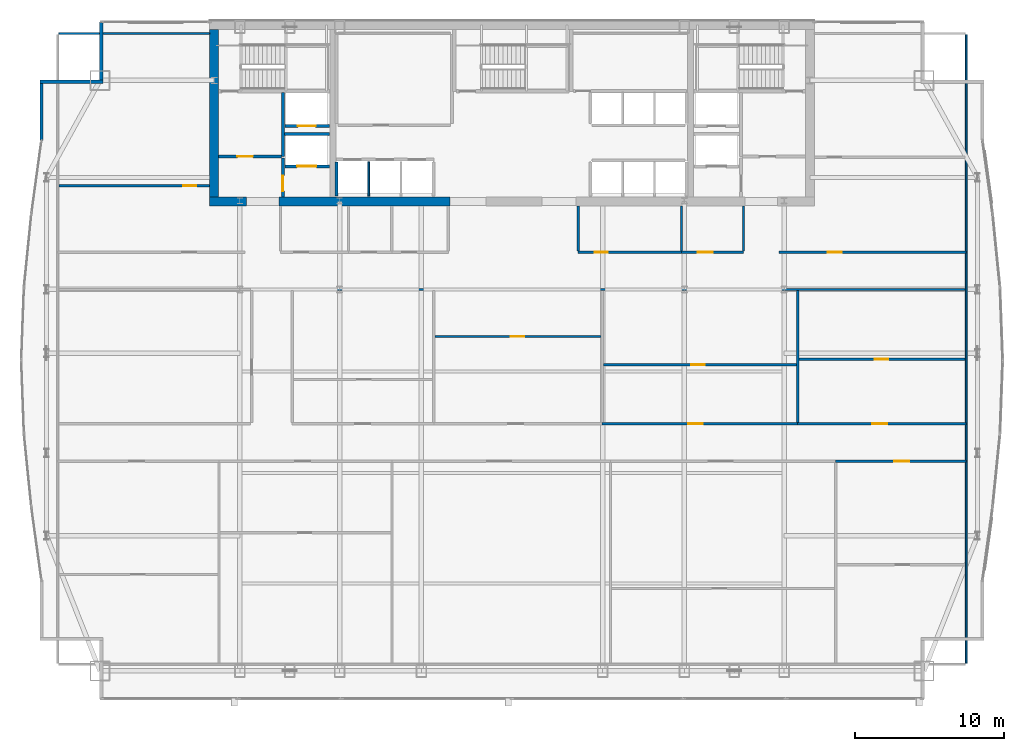
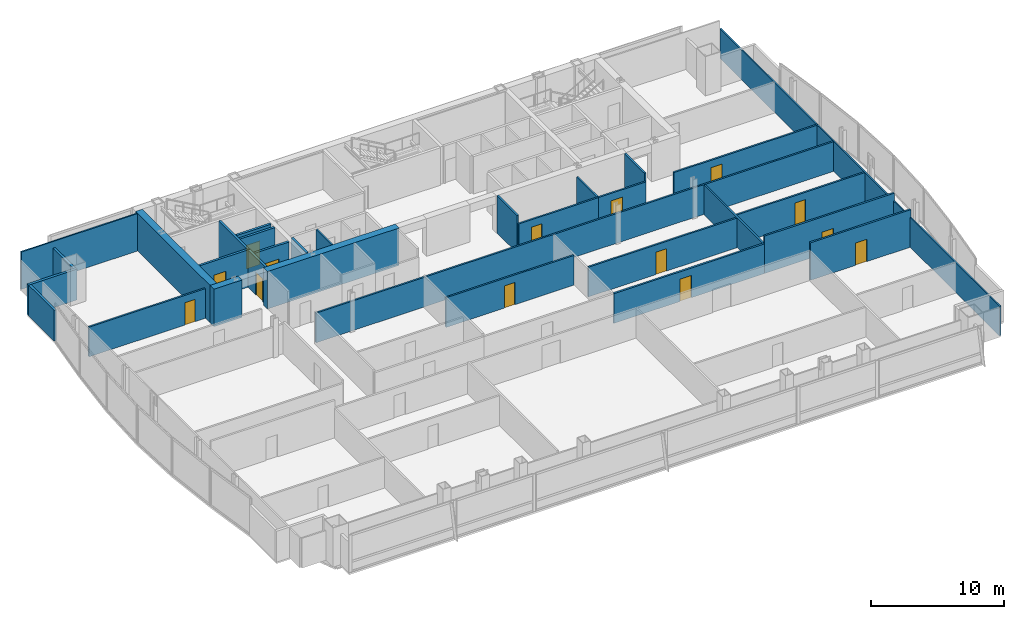
# One storey, part 25 of 29: 31 walls, 14 doors, 14 openings.
"""IFC4 building model written with IfcOpenShell, lengths in metres."""

from ifc_helpers import new_model, si_unit, direction, frame, frame_2d, origin, place, context, subcontext, project, spatial, rectangle, extrude, material, layer, layer_set, type_object, element, fill, save


model = new_model("IFC4")

# Units and contexts
model_context = context("Model", 3, precision=1e-05, world=origin(), true_north=direction((0.0, 1.0)))
body_context = subcontext(model_context, "Body", "Model", "MODEL_VIEW")
ifc_project = project(units=[si_unit("LENGTHUNIT", "METRE"), si_unit("AREAUNIT", "SQUARE_METRE"), si_unit("VOLUMEUNIT", "CUBIC_METRE"), si_unit("PLANEANGLEUNIT", "RADIAN"), si_unit("MASSUNIT", "GRAM", prefix="KILO")], contexts=[model_context])

# Site, building, storey
site_placement = place(None, origin())
site = spatial("IfcSite", under=ifc_project, at=site_placement, CompositionType="ELEMENT")
building_placement = place(site_placement, origin())
building = spatial("IfcBuilding", under=site, at=building_placement, Name="Khoronbel Lancet Exchange", CompositionType="ELEMENT")
storey_placement = place(building_placement, frame((0.0, 0.0, 177.0)))
storey = spatial("IfcBuildingStorey", under=building, at=storey_placement, Name="L44", CompositionType="ELEMENT", Elevation=177.0)

# Walls
ifc_material_1 = material(Name="Concrete C60/75", Category="concrete")
ifc_layer_1 = layer(ifc_material_1, 0.60009765625, Name="Concrete C60/75")
ifc_layer_set_1 = layer_set([ifc_layer_1], Name="Concrete C60/75")
wall_type_1 = type_object("IfcWallType", Name="WL-CW3", PredefinedType="SHEAR", material=ifc_layer_set_1)
wall_1_placement = place(storey_placement, frame((16.5, 41.89990234375, 0.0), z_axis=(0.0, 0.0, 1.0), x_axis=(0.0, 1.0, 0.0)))
element("IfcWall", 1, at=wall_1_placement, inside=storey, type_object=wall_type_1, Name="Level L44 rear core west shear wall", PredefinedType="SHEAR", context=body_context, shape_type="SweptSolid", body=[
    extrude(rectangle(XDim=11.2001953125, YDim=0.60009765625, at=frame_2d((5.60009765625, 0.0))), origin(), (0.0, 0.0, 1.0), 3.43994140625),
])
wall_2_placement = place(storey_placement, frame((18.64990234375, 41.60009765625, 0.0), z_axis=(0.0, 0.0, 1.0), x_axis=(-1.0, 0.0, 0.0)))
element("IfcWall", 2, at=wall_2_placement, inside=storey, type_object=wall_type_1, Name="Level L44 rear core south shear wall pier P1", PredefinedType="SHEAR", context=body_context, shape_type="SweptSolid", body=[
    extrude(rectangle(XDim=2.449951171875, YDim=0.60009765625, at=frame_2d((1.22509765625, 0.0))), origin(), (0.0, 0.0, 1.0), 3.43994140625),
])
wall_3_placement = place(storey_placement, frame((32.300048828125, 41.60009765625, 0.0), z_axis=(0.0, 0.0, 1.0), x_axis=(-1.0, 0.0, 0.0)))
element("IfcWall", 3, at=wall_3_placement, inside=storey, type_object=wall_type_1, Name="Level L44 rear core south shear wall pier P2", PredefinedType="SHEAR", context=body_context, shape_type="SweptSolid", body=[
    extrude(rectangle(XDim=11.449951171875, YDim=0.60009765625, at=frame_2d((5.72509765625, 0.0))), origin(), (0.0, 0.0, 1.0), 3.43994140625),
])
ifc_material_2 = material(Name="Precast concrete C40/50", Category="concrete")
ifc_layer_2 = layer(ifc_material_2, 0.25, Name="Precast concrete C40/50")
ifc_layer_set_2 = layer_set([ifc_layer_2], Name="Precast concrete C40/50")
wall_type_2 = type_object("IfcWallType", Name="WL-EXT250", PredefinedType="SOLIDWALL", material=ifc_layer_set_2)
wall_4_placement = place(storey_placement, frame((4.93994140625, 45.673828125, 0.0), z_axis=(0.0, 0.0, 1.0), x_axis=(0.0, 1.0, 0.0)))
element("IfcWall", 4, at=wall_4_placement, inside=storey, type_object=wall_type_2, Name="Level L44 notched-corner limestone pier 10", PredefinedType="SOLIDWALL", context=body_context, shape_type="SweptSolid", body=[
    extrude(rectangle(XDim=3.826171875, YDim=0.219970703125, at=frame_2d((1.9130859375, 0.0))), origin(), (0.0, 0.0, 1.0), 2.830078125),
])
wall_5_placement = place(storey_placement, frame((4.830078125, 49.610107421875, 0.0), z_axis=(0.0, 0.0, 1.0), x_axis=(1.0, 0.0, 0.0)))
element("IfcWall", 5, at=wall_5_placement, inside=storey, type_object=wall_type_2, Name="Level L44 notched-corner limestone pier 11", PredefinedType="SOLIDWALL", context=body_context, shape_type="SweptSolid", body=[
    extrude(rectangle(XDim=4.219970703125, YDim=0.219970703125, at=frame_2d((2.10986328125, 0.0))), origin(), (0.0, 0.0, 1.0), 2.830078125),
])
wall_6_placement = place(storey_placement, frame((8.93994140625, 49.719970703125, 0.0), z_axis=(0.0, 0.0, 1.0), x_axis=(0.0, 1.0, 0.0)))
element("IfcWall", 6, at=wall_6_placement, inside=storey, type_object=wall_type_2, Name="Level L44 notched-corner limestone pier 12", PredefinedType="SOLIDWALL", context=body_context, shape_type="SweptSolid", body=[
    extrude(rectangle(XDim=3.909912109375, YDim=0.219970703125, at=frame_2d((1.955078125, 0.0))), origin(), (0.0, 0.0, 1.0), 2.830078125),
])
ifc_material_3 = material(Name="Acoustic Metal-Stud & Mineral-Wool Gypsum Partition 120 mm", Category="gypsum")
ifc_layer_3 = layer(ifc_material_3, 0.1201171875, Name="Acoustic Metal-Stud & Mineral-Wool Gypsum Partition 120 mm")
ifc_layer_set_3 = layer_set([ifc_layer_3], Name="Acoustic Metal-Stud & Mineral-Wool Gypsum Partition 120 mm")
wall_type_3 = type_object("IfcWallType", Name="WL-PRT120", PredefinedType="PARTITIONING", material=ifc_layer_set_3)
wall_7_placement = place(storey_placement, frame((40.8798828125, 38.280029296875, 0.0), z_axis=(0.0, 0.0, 1.0), x_axis=(0.0, 1.0, 0.0)))
element("IfcWall", 7, at=wall_7_placement, inside=storey, type_object=wall_type_3, Name="Level L44 interior partition PW-NP-0", PredefinedType="PARTITIONING", context=body_context, shape_type="SweptSolid", body=[
    extrude(rectangle(XDim=3.02001953125, YDim=0.14990234375, at=frame_2d((1.510009765625, 0.0))), origin(), (0.0, 0.0, 1.0), 3.43994140625),
])
wall_8_placement = place(storey_placement, frame((47.800048828125, 38.280029296875, 0.0), z_axis=(0.0, 0.0, 1.0), x_axis=(0.0, 1.0, 0.0)))
element("IfcWall", 8, at=wall_8_placement, inside=storey, type_object=wall_type_3, Name="Level L44 interior partition PW-NP-M", PredefinedType="PARTITIONING", context=body_context, shape_type="SweptSolid", body=[
    extrude(rectangle(XDim=3.02001953125, YDim=0.14990234375, at=frame_2d((1.510009765625, 0.0))), origin(), (0.0, 0.0, 1.0), 2.72998046875),
])
wall_9_placement = place(storey_placement, frame((51.949951171875, 38.280029296875, 0.0), z_axis=(0.0, 0.0, 1.0), x_axis=(0.0, 1.0, 0.0)))
element("IfcWall", 9, at=wall_9_placement, inside=storey, type_object=wall_type_3, Name="Level L44 interior partition PW-NP-1", PredefinedType="PARTITIONING", context=body_context, shape_type="SweptSolid", body=[
    extrude(rectangle(XDim=3.02001953125, YDim=0.14990234375, at=frame_2d((1.510009765625, 0.0))), origin(), (0.0, 0.0, 1.0), 3.43994140625),
])

# Wall, opening, door
wall_10_placement = place(storey_placement, frame((6.094970703125, 42.64990234375, 0.0), z_axis=(0.0, 0.0, 1.0), x_axis=(1.0, 0.0, 0.0)))
wall_10 = element("IfcWall", 10, at=wall_10_placement, inside=storey, type_object=wall_type_3, Name="Level L44 interior partition PW-NW-H", PredefinedType="PARTITIONING", context=body_context, shape_type="SweptSolid", body=[
    extrude(rectangle(XDim=10.10498046875, YDim=0.14990234375, at=frame_2d((5.052490234375, 0.0))), origin(), (0.0, 0.0, 1.0), 2.72998046875),
])
opening_1_placement = place(wall_10_placement, frame((8.320068359375, 0.0, 0.0)))
opening_1 = element("IfcOpeningElement", 11, at=opening_1_placement, cuts=wall_10, Name="Opening D5", PredefinedType="OPENING", context=body_context, shape_type="SweptSolid", body=[
    extrude(rectangle(XDim=0.89990234375, YDim=2.050048828125, at=frame_2d((0.449951171875, 1.02490234375))), frame((0.0, 0.0849609375, 0.0), z_axis=(0.0, -1.0, 0.0), x_axis=(1.0, 0.0, 0.0)), (0.0, 0.0, 1.0), 0.169921875),
])
ifc_material_4 = material(Name="Acoustic Timber Pantry & Support Door", Category="wood")
door_type_1 = type_object("IfcDoorType", Name="DR-D5", OperationType="NOTDEFINED", PredefinedType="DOOR", material=ifc_material_4)
door_1_placement = place(opening_1_placement, origin())
door_1 = element("IfcDoor", 12, at=door_1_placement, inside=storey, type_object=door_type_1, Name="NW north room door L44-1", OperationType="SINGLE_SWING_RIGHT", OverallHeight=2.050048828125, OverallWidth=0.89990234375, PredefinedType="DOOR", context=body_context, shape_type="SweptSolid", body=[
    extrude(rectangle(XDim=0.89990234375, YDim=2.050048828125, at=frame_2d((0.449951171875, 1.02490234375))), frame((0.0, 0.02490234375, 0.0), z_axis=(0.0, -1.0, 0.0), x_axis=(1.0, 0.0, 0.0)), (0.0, 0.0, 1.0), 0.050048828125),
])
fill(opening_1, door_1)

wall_11_placement = place(storey_placement, frame((31.289306640625, 32.550048828125, 0.0), z_axis=(0.0, 0.0, 1.0), x_axis=(1.0, 0.0, 0.0)))
wall_11 = element("IfcWall", 13, at=wall_11_placement, inside=storey, type_object=wall_type_3, Name="Level L44 interior partition PW-Z2N-H2", PredefinedType="PARTITIONING", context=body_context, shape_type="SweptSolid", body=[
    extrude(rectangle(XDim=11.125, YDim=0.14990234375, at=frame_2d((5.5625, 0.0))), origin(), (0.0, 0.0, 1.0), 2.72998046875),
])
opening_2_placement = place(wall_11_placement, frame((5.078369140625, 0.0, 0.0)))
opening_2 = element("IfcOpeningElement", 14, at=opening_2_placement, cuts=wall_11, Name="Opening D5", PredefinedType="OPENING", context=body_context, shape_type="SweptSolid", body=[
    extrude(rectangle(XDim=0.89990234375, YDim=2.050048828125, at=frame_2d((0.449951171875, 1.02490234375))), frame((0.0, 0.0849609375, 0.0), z_axis=(0.0, -1.0, 0.0), x_axis=(1.0, 0.0, 0.0)), (0.0, 0.0, 1.0), 0.169921875),
])
door_2_placement = place(opening_2_placement, origin())
door_2 = element("IfcDoor", 15, at=door_2_placement, inside=storey, type_object=door_type_1, Name="Z2N inner door 2 L44-1", OperationType="SINGLE_SWING_LEFT", OverallHeight=2.050048828125, OverallWidth=0.89990234375, PredefinedType="DOOR", context=body_context, shape_type="SweptSolid", body=[
    extrude(rectangle(XDim=0.89990234375, YDim=2.050048828125, at=frame_2d((0.449951171875, 1.02490234375))), frame((0.0, 0.02490234375, 0.0), z_axis=(0.0, -1.0, 0.0), x_axis=(1.0, 0.0, 0.0)), (0.0, 0.0, 1.0), 0.050048828125),
])
fill(opening_2, door_2)

wall_12_placement = place(storey_placement, frame((42.574462890625, 30.659912109375, 0.0), z_axis=(0.0, 0.0, 1.0), x_axis=(1.0, 0.0, 0.0)))
wall_12 = element("IfcWall", 16, at=wall_12_placement, inside=storey, type_object=wall_type_3, Name="Level L44 interior partition PW-Z2N-H3", PredefinedType="PARTITIONING", context=body_context, shape_type="SweptSolid", body=[
    extrude(rectangle(XDim=12.930419921875, YDim=0.14990234375, at=frame_2d((6.46533203125, 0.0))), origin(), (0.0, 0.0, 1.0), 2.72998046875),
])
opening_3_placement = place(wall_12_placement, frame((5.890869140625, 0.0, 0.0)))
opening_3 = element("IfcOpeningElement", 17, at=opening_3_placement, cuts=wall_12, Name="Opening D5", PredefinedType="OPENING", context=body_context, shape_type="SweptSolid", body=[
    extrude(rectangle(XDim=0.89990234375, YDim=2.050048828125, at=frame_2d((0.449951171875, 1.02490234375))), frame((0.0, 0.0849609375, 0.0), z_axis=(0.0, -1.0, 0.0), x_axis=(1.0, 0.0, 0.0)), (0.0, 0.0, 1.0), 0.169921875),
])
door_3_placement = place(opening_3_placement, origin())
door_3 = element("IfcDoor", 18, at=door_3_placement, inside=storey, type_object=door_type_1, Name="Z2N inner door 3 L44-1", OperationType="SINGLE_SWING_LEFT", OverallHeight=2.050048828125, OverallWidth=0.89990234375, PredefinedType="DOOR", context=body_context, shape_type="SweptSolid", body=[
    extrude(rectangle(XDim=0.89990234375, YDim=2.050048828125, at=frame_2d((0.449951171875, 1.02490234375))), frame((0.0, 0.02490234375, 0.0), z_axis=(0.0, -1.0, 0.0), x_axis=(1.0, 0.0, 0.0)), (0.0, 0.0, 1.0), 0.050048828125),
])
fill(opening_3, door_3)

wall_13_placement = place(storey_placement, frame((55.6650390625, 31.02001953125, 0.0), z_axis=(0.0, 0.0, 1.0), x_axis=(1.0, 0.0, 0.0)))
wall_13 = element("IfcWall", 19, at=wall_13_placement, inside=storey, type_object=wall_type_3, Name="Level L44 interior partition PW-Z2N-H4", PredefinedType="PARTITIONING", context=body_context, shape_type="SweptSolid", body=[
    extrude(rectangle(XDim=11.139892578125, YDim=0.14990234375, at=frame_2d((5.56982421875, 0.0))), origin(), (0.0, 0.0, 1.0), 2.72998046875),
])
opening_4_placement = place(wall_13_placement, frame((5.078369140625, 0.0, 0.0)))
opening_4 = element("IfcOpeningElement", 20, at=opening_4_placement, cuts=wall_13, Name="Opening D5", PredefinedType="OPENING", context=body_context, shape_type="SweptSolid", body=[
    extrude(rectangle(XDim=0.89990234375, YDim=2.050048828125, at=frame_2d((0.449951171875, 1.02490234375))), frame((0.0, 0.0849609375, 0.0), z_axis=(0.0, -1.0, 0.0), x_axis=(1.0, 0.0, 0.0)), (0.0, 0.0, 1.0), 0.169921875),
])
door_4_placement = place(opening_4_placement, origin())
door_4 = element("IfcDoor", 21, at=door_4_placement, inside=storey, type_object=door_type_1, Name="Z2N inner door 4 L44-1", OperationType="SINGLE_SWING_LEFT", OverallHeight=2.050048828125, OverallWidth=0.89990234375, PredefinedType="DOOR", context=body_context, shape_type="SweptSolid", body=[
    extrude(rectangle(XDim=0.89990234375, YDim=2.050048828125, at=frame_2d((0.449951171875, 1.02490234375))), frame((0.0, 0.02490234375, 0.0), z_axis=(0.0, -1.0, 0.0), x_axis=(1.0, 0.0, 0.0)), (0.0, 0.0, 1.0), 0.050048828125),
])
fill(opening_4, door_4)

# Walls
wall_14_placement = place(storey_placement, frame((66.8701171875, 10.6650390625, 0.0), z_axis=(0.0, 0.0, 1.0), x_axis=(0.0, 1.0, 0.0)))
element("IfcWall", 22, at=wall_14_placement, inside=storey, type_object=wall_type_3, Name="Level L44 interior partition PW-LIN-E", PredefinedType="PARTITIONING", context=body_context, shape_type="SweptSolid", body=[
    extrude(rectangle(XDim=42.10986328125, YDim=0.1201171875, at=frame_2d((21.054931640625, 0.0))), origin(), (0.0, 0.0, 1.0), 2.72998046875),
])
wall_15_placement = place(storey_placement, frame((6.094970703125, 52.840087890625, 0.0), z_axis=(0.0, 0.0, 1.0), x_axis=(1.0, 0.0, 0.0)))
element("IfcWall", 23, at=wall_15_placement, inside=storey, type_object=wall_type_3, Name="Level L44 interior partition PW-LIN-NW", PredefinedType="PARTITIONING", context=body_context, shape_type="SweptSolid", body=[
    extrude(rectangle(XDim=10.10498046875, YDim=0.1201171875, at=frame_2d((5.052490234375, 0.0))), origin(), (0.0, 0.0, 1.0), 3.43994140625),
])
ifc_material_5 = material(Name="Fire-Rated Metal-Stud & Mineral-Wool Gypsum Partition 120 mm", Category="gypsum")
ifc_layer_4 = layer(ifc_material_5, 0.1201171875, Name="Fire-Rated Metal-Stud & Mineral-Wool Gypsum Partition 120 mm")
ifc_layer_set_4 = layer_set([ifc_layer_4], Name="Fire-Rated Metal-Stud & Mineral-Wool Gypsum Partition 120 mm")
wall_type_4 = type_object("IfcWallType", Name="WL-PRT120F", PredefinedType="PARTITIONING", material=ifc_layer_set_4)
wall_16_placement = place(storey_placement, frame((26.860107421875, 41.949951171875, 0.0), z_axis=(0.0, 0.0, 1.0), x_axis=(0.0, 1.0, 0.0)))
element("IfcWall", 24, at=wall_16_placement, inside=storey, type_object=wall_type_4, Name="Level L44 interior partition CW-PM-D1", PredefinedType="PARTITIONING", context=body_context, shape_type="SweptSolid", body=[
    extrude(rectangle(XDim=2.300048828125, YDim=0.1201171875, at=frame_2d((1.14990234375, 0.0))), origin(), (0.0, 0.0, 1.0), 3.43994140625),
])

# Wall, opening, door
ifc_material_6 = material(Name="Fire-Rated Twin-Stud Acoustic Gypsum Partition 150 mm", Category="gypsum")
ifc_layer_5 = layer(ifc_material_6, 0.14990234375, Name="Fire-Rated Twin-Stud Acoustic Gypsum Partition 150 mm")
ifc_layer_set_5 = layer_set([ifc_layer_5], Name="Fire-Rated Twin-Stud Acoustic Gypsum Partition 150 mm")
wall_type_5 = type_object("IfcWallType", Name="WL-PRT150C", PredefinedType="PARTITIONING", material=ifc_layer_set_5)
wall_17_placement = place(storey_placement, frame((40.8798828125, 38.199951171875, 0.0), z_axis=(0.0, 0.0, 1.0), x_axis=(1.0, 0.0, 0.0)))
wall_17 = element("IfcWall", 25, at=wall_17_placement, inside=storey, type_object=wall_type_5, Name="Level L44 interior partition PW-NP-S1", PredefinedType="PARTITIONING", context=body_context, shape_type="SweptSolid", body=[
    extrude(rectangle(XDim=6.920166015625, YDim=0.14990234375, at=frame_2d((3.4599609375, 0.0))), origin(), (0.0, 0.0, 1.0), 2.72998046875),
])
opening_5_placement = place(wall_17_placement, frame((1.10009765625, 0.0, 0.0)))
opening_5 = element("IfcOpeningElement", 26, at=opening_5_placement, cuts=wall_17, Name="Opening D5", PredefinedType="OPENING", context=body_context, shape_type="SweptSolid", body=[
    extrude(rectangle(XDim=0.89990234375, YDim=2.050048828125, at=frame_2d((0.449951171875, 1.02490234375))), frame((0.0, 0.0849609375, 0.0), z_axis=(0.0, -1.0, 0.0), x_axis=(1.0, 0.0, 0.0)), (0.0, 0.0, 1.0), 0.169921875),
])
door_5_placement = place(opening_5_placement, origin())
door_5 = element("IfcDoor", 27, at=door_5_placement, inside=storey, type_object=door_type_1, Name="Floor refreshment pantry door L44-1", OperationType="SINGLE_SWING_RIGHT", OverallHeight=2.050048828125, OverallWidth=0.89990234375, PredefinedType="DOOR", context=body_context, shape_type="SweptSolid", body=[
    extrude(rectangle(XDim=0.89990234375, YDim=2.050048828125, at=frame_2d((0.449951171875, 1.02490234375))), frame((0.0, 0.02490234375, 0.0), z_axis=(0.0, -1.0, 0.0), x_axis=(1.0, 0.0, 0.0)), (0.0, 0.0, 1.0), 0.050048828125),
])
fill(opening_5, door_5)

wall_18_placement = place(storey_placement, frame((47.800048828125, 38.199951171875, 0.0), z_axis=(0.0, 0.0, 1.0), x_axis=(1.0, 0.0, 0.0)))
wall_18 = element("IfcWall", 28, at=wall_18_placement, inside=storey, type_object=wall_type_5, Name="Level L44 interior partition PW-NP-S2", PredefinedType="PARTITIONING", context=body_context, shape_type="SweptSolid", body=[
    extrude(rectangle(XDim=4.14990234375, YDim=0.14990234375, at=frame_2d((2.074951171875, 0.0))), origin(), (0.0, 0.0, 1.0), 2.72998046875),
])
opening_6_placement = place(wall_18_placement, frame((1.10009765625, 0.0, 0.0)))
opening_6 = element("IfcOpeningElement", 29, at=opening_6_placement, cuts=wall_18, Name="Opening D2", PredefinedType="OPENING", context=body_context, shape_type="SweptSolid", body=[
    extrude(rectangle(XDim=1.0, YDim=2.050048828125, at=frame_2d((0.5, 1.02490234375))), frame((0.0, 0.0849609375, 0.0), z_axis=(0.0, -1.0, 0.0), x_axis=(1.0, 0.0, 0.0)), (0.0, 0.0, 1.0), 0.169921875),
])
ifc_material_7 = material(Name="Acoustic Veneered Timber & Bronze Frame Door", Category="wood")
door_type_2 = type_object("IfcDoorType", Name="DR-D2", OperationType="NOTDEFINED", PredefinedType="DOOR", material=ifc_material_7)
door_6_placement = place(opening_6_placement, origin())
door_6 = element("IfcDoor", 30, at=door_6_placement, inside=storey, type_object=door_type_2, Name="Floor store door L44-1", OperationType="SINGLE_SWING_LEFT", OverallHeight=2.050048828125, OverallWidth=1.0, PredefinedType="DOOR", context=body_context, shape_type="SweptSolid", body=[
    extrude(rectangle(XDim=1.0, YDim=2.050048828125, at=frame_2d((0.5, 1.02490234375))), frame((0.0, 0.02490234375, 0.0), z_axis=(0.0, -1.0, 0.0), x_axis=(1.0, 0.0, 0.0)), (0.0, 0.0, 1.0), 0.050048828125),
])
fill(opening_6, door_6)

wall_19_placement = place(storey_placement, frame((54.35009765625, 38.199951171875, 0.0), z_axis=(0.0, 0.0, 1.0), x_axis=(1.0, 0.0, 0.0)))
wall_19 = element("IfcWall", 31, at=wall_19_placement, inside=storey, type_object=wall_type_5, Name="Level L44 interior partition PW-NE-S", PredefinedType="PARTITIONING", context=body_context, shape_type="SweptSolid", body=[
    extrude(rectangle(XDim=12.52001953125, YDim=0.14990234375, at=frame_2d((6.260009765625, 0.0))), origin(), (0.0, 0.0, 1.0), 2.72998046875),
])
opening_7_placement = place(wall_19_placement, frame((3.25, 0.0, 0.0)))
opening_7 = element("IfcOpeningElement", 32, at=opening_7_placement, cuts=wall_19, Name="Opening D1", PredefinedType="OPENING", context=body_context, shape_type="SweptSolid", body=[
    extrude(rectangle(XDim=0.949951171875, YDim=2.050048828125, at=frame_2d((0.47509765625, 1.02490234375))), frame((0.0, 0.0849609375, 0.0), z_axis=(0.0, -1.0, 0.0), x_axis=(1.0, 0.0, 0.0)), (0.0, 0.0, 1.0), 0.169921875),
])
door_type_3 = type_object("IfcDoorType", Name="DR-D1", OperationType="NOTDEFINED", PredefinedType="DOOR", material=ifc_material_7)
door_7_placement = place(opening_7_placement, origin())
door_7 = element("IfcDoor", 33, at=door_7_placement, inside=storey, type_object=door_type_3, Name="NE corner room door L44-1", OperationType="SINGLE_SWING_LEFT", OverallHeight=2.050048828125, OverallWidth=0.949951171875, PredefinedType="DOOR", context=body_context, shape_type="SweptSolid", body=[
    extrude(rectangle(XDim=0.949951171875, YDim=2.050048828125, at=frame_2d((0.47509765625, 1.02490234375))), frame((0.0, 0.02490234375, 0.0), z_axis=(0.0, -1.0, 0.0), x_axis=(1.0, 0.0, 0.0)), (0.0, 0.0, 1.0), 0.050048828125),
])
fill(opening_7, door_7)

# Walls
wall_20_placement = place(storey_placement, frame((21.81005859375, 35.699951171875, 0.0), z_axis=(0.0, 0.0, 1.0), x_axis=(1.0, 0.0, 0.0)))
element("IfcWall", 34, at=wall_20_placement, inside=storey, type_object=wall_type_5, Name="Level L44 interior partition PW-Z2-EN", PredefinedType="PARTITIONING", context=body_context, shape_type="SweptSolid", body=[
    extrude(rectangle(XDim=44.994873046875, YDim=0.14990234375, at=frame_2d((22.49755859375, 0.0))), origin(), (0.0, 0.0, 1.0), 2.72998046875),
])
wall_21_placement = place(storey_placement, frame((55.5849609375, 26.784912109375, 0.0), z_axis=(0.0, 0.0, 1.0), x_axis=(0.0, 1.0, 0.0)))
element("IfcWall", 35, at=wall_21_placement, inside=storey, type_object=wall_type_5, Name="Level L44 interior partition PW-Z2N-V3", PredefinedType="PARTITIONING", context=body_context, shape_type="SweptSolid", body=[
    extrude(rectangle(XDim=8.835205078125, YDim=0.14990234375, at=frame_2d((4.41748046875, 0.0))), origin(), (0.0, 0.0, 1.0), 2.72998046875),
])

# Wall, opening, door
ifc_material_8 = material(Name="Fire-Rated Twin-Stud Acoustic Gypsum Partition 160 mm", Category="gypsum")
ifc_layer_6 = layer(ifc_material_8, 0.159912109375, Name="Fire-Rated Twin-Stud Acoustic Gypsum Partition 160 mm")
ifc_layer_set_6 = layer_set([ifc_layer_6], Name="Fire-Rated Twin-Stud Acoustic Gypsum Partition 160 mm")
wall_type_6 = type_object("IfcWallType", Name="WL-PRT160C", PredefinedType="PARTITIONING", material=ifc_layer_set_6)
wall_22_placement = place(storey_placement, frame((58.13134765625, 24.199951171875, 0.0), z_axis=(0.0, 0.0, 1.0), x_axis=(1.0, 0.0, 0.0)))
wall_22 = element("IfcWall", 36, at=wall_22_placement, inside=storey, type_object=wall_type_6, Name="Level L44 interior partition PW-Z2S-COR5", PredefinedType="PARTITIONING", context=body_context, shape_type="SweptSolid", body=[
    extrude(rectangle(XDim=8.73876953125, YDim=0.159912109375, at=frame_2d((4.369384765625, 0.0))), origin(), (0.0, 0.0, 1.0), 3.43994140625),
])
opening_8_placement = place(wall_22_placement, frame((3.920166015625, 0.0, 0.0)))
opening_8 = element("IfcOpeningElement", 37, at=opening_8_placement, cuts=wall_22, Name="Opening D2", PredefinedType="OPENING", context=body_context, shape_type="SweptSolid", body=[
    extrude(rectangle(XDim=1.0, YDim=2.050048828125, at=frame_2d((0.5, 1.02490234375))), frame((0.0, 0.08984375, 0.0), z_axis=(0.0, -1.0, 0.0), x_axis=(1.0, 0.0, 0.0)), (0.0, 0.0, 1.0), 0.179931640625),
])
door_8_placement = place(opening_8_placement, origin())
door_8 = element("IfcDoor", 38, at=door_8_placement, inside=storey, type_object=door_type_2, Name="Z2S bay 5 door L44-1", OperationType="SINGLE_SWING_LEFT", OverallHeight=2.050048828125, OverallWidth=1.0, PredefinedType="DOOR", context=body_context, shape_type="SweptSolid", body=[
    extrude(rectangle(XDim=1.0, YDim=2.050048828125, at=frame_2d((0.5, 1.02490234375))), frame((0.0, 0.02490234375, 0.0), z_axis=(0.0, -1.0, 0.0), x_axis=(1.0, 0.0, 0.0)), (0.0, 0.0, 1.0), 0.050048828125),
])
fill(opening_8, door_8)

wall_23_placement = place(storey_placement, frame((42.494384765625, 26.699951171875, 0.0), z_axis=(0.0, 0.0, 1.0), x_axis=(1.0, 0.0, 0.0)))
wall_23 = element("IfcWall", 39, at=wall_23_placement, inside=storey, type_object=wall_type_6, Name="Level L44 interior partition PW-Z2N-COR3", PredefinedType="PARTITIONING", context=body_context, shape_type="SweptSolid", body=[
    extrude(rectangle(XDim=13.090576171875, YDim=0.159912109375, at=frame_2d((6.54541015625, 0.0))), origin(), (0.0, 0.0, 1.0), 2.72998046875),
])
opening_9_placement = place(wall_23_placement, frame((5.748046875, 0.0, 0.0)))
opening_9 = element("IfcOpeningElement", 40, at=opening_9_placement, cuts=wall_23, Name="Opening D2", PredefinedType="OPENING", context=body_context, shape_type="SweptSolid", body=[
    extrude(rectangle(XDim=1.0, YDim=2.050048828125, at=frame_2d((0.5, 1.02490234375))), frame((0.0, 0.08984375, 0.0), z_axis=(0.0, -1.0, 0.0), x_axis=(1.0, 0.0, 0.0)), (0.0, 0.0, 1.0), 0.179931640625),
])
door_9_placement = place(opening_9_placement, origin())
door_9 = element("IfcDoor", 41, at=door_9_placement, inside=storey, type_object=door_type_2, Name="Z2N bay 3 door L44-1", OperationType="SINGLE_SWING_RIGHT", OverallHeight=2.050048828125, OverallWidth=1.0, PredefinedType="DOOR", context=body_context, shape_type="SweptSolid", body=[
    extrude(rectangle(XDim=1.0, YDim=2.050048828125, at=frame_2d((0.5, 1.02490234375))), frame((0.0, 0.02490234375, 0.0), z_axis=(0.0, -1.0, 0.0), x_axis=(1.0, 0.0, 0.0)), (0.0, 0.0, 1.0), 0.050048828125),
])
fill(opening_9, door_9)

wall_24_placement = place(storey_placement, frame((55.5849609375, 26.699951171875, 0.0), z_axis=(0.0, 0.0, 1.0), x_axis=(1.0, 0.0, 0.0)))
wall_24 = element("IfcWall", 42, at=wall_24_placement, inside=storey, type_object=wall_type_6, Name="Level L44 interior partition PW-Z2N-COR4", PredefinedType="PARTITIONING", context=body_context, shape_type="SweptSolid", body=[
    extrude(rectangle(XDim=11.28515625, YDim=0.159912109375, at=frame_2d((5.642578125, 0.0))), origin(), (0.0, 0.0, 1.0), 3.43994140625),
])
opening_10_placement = place(wall_24_placement, frame((4.98974609375, 0.0, 0.0)))
opening_10 = element("IfcOpeningElement", 43, at=opening_10_placement, cuts=wall_24, Name="Opening D2", PredefinedType="OPENING", context=body_context, shape_type="SweptSolid", body=[
    extrude(rectangle(XDim=1.0, YDim=2.050048828125, at=frame_2d((0.5, 1.02490234375))), frame((0.0, 0.08984375, 0.0), z_axis=(0.0, -1.0, 0.0), x_axis=(1.0, 0.0, 0.0)), (0.0, 0.0, 1.0), 0.179931640625),
])
door_10_placement = place(opening_10_placement, origin())
door_10 = element("IfcDoor", 44, at=door_10_placement, inside=storey, type_object=door_type_2, Name="Z2N bay 4 door L44-1", OperationType="SINGLE_SWING_RIGHT", OverallHeight=2.050048828125, OverallWidth=1.0, PredefinedType="DOOR", context=body_context, shape_type="SweptSolid", body=[
    extrude(rectangle(XDim=1.0, YDim=2.050048828125, at=frame_2d((0.5, 1.02490234375))), frame((0.0, 0.02490234375, 0.0), z_axis=(0.0, -1.0, 0.0), x_axis=(1.0, 0.0, 0.0)), (0.0, 0.0, 1.0), 0.050048828125),
])
fill(opening_10, door_10)

ifc_material_9 = material(Name="Autoclaved Aerated Concrete Blockwork 200 mm", Category="masonry")
ifc_layer_7 = layer(ifc_material_9, 0.199951171875, Name="Autoclaved Aerated Concrete Blockwork 200 mm")
ifc_layer_set_7 = layer_set([ifc_layer_7], Name="Autoclaved Aerated Concrete Blockwork 200 mm")
wall_type_7 = type_object("IfcWallType", Name="WL-PRT200", PredefinedType="PARTITIONING", material=ifc_layer_set_7)
wall_25_placement = place(storey_placement, frame((24.2099609375, 43.949951171875, 0.0), z_axis=(0.0, 0.0, 1.0), x_axis=(-1.0, 0.0, 0.0)))
wall_25 = element("IfcWall", 45, at=wall_25_placement, inside=storey, type_object=wall_type_7, Name="Level L44 elevator hoistway landing front wall SVLW", PredefinedType="PARTITIONING", context=body_context, shape_type="SweptSolid", body=[
    extrude(rectangle(XDim=2.969970703125, YDim=0.199951171875, at=frame_2d((1.48486328125, 0.0))), origin(), (0.0, 0.0, 1.0), 3.43994140625),
])
opening_11_placement = place(wall_25_placement, frame((0.860107421875, 0.0, 0.0)))
opening_11 = element("IfcOpeningElement", 46, at=opening_11_placement, cuts=wall_25, Name="Opening LD-SVL1", PredefinedType="OPENING", context=body_context, shape_type="SweptSolid", body=[
    extrude(rectangle(XDim=1.300048828125, YDim=2.179931640625, at=frame_2d((0.64990234375, 1.08984375))), frame((0.0, 0.10986328125, 0.0), z_axis=(0.0, -1.0, 0.0), x_axis=(1.0, 0.0, 0.0)), (0.0, 0.0, 1.0), 0.219970703125),
])
ifc_material_10 = material(Name="Heavy-Duty Bi-Parting Goods Lift Landing Door", Category="steel")
door_type_4 = type_object("IfcDoorType", Name="DR-LD-SVL", OperationType="NOTDEFINED", PredefinedType="DOOR", material=ifc_material_10)
door_11_placement = place(opening_11_placement, origin())
door_11 = element("IfcDoor", 47, at=door_11_placement, inside=storey, type_object=door_type_4, Name="Elevator landing sliding door LD-SVL1 L44", OperationType="SLIDING_TO_LEFT", OverallHeight=2.179931640625, OverallWidth=1.300048828125, PredefinedType="DOOR", context=body_context, shape_type="SweptSolid", body=[
    extrude(rectangle(XDim=1.300048828125, YDim=2.179931640625, at=frame_2d((0.64990234375, 1.08984375))), frame((0.0, 0.02490234375, 0.0), z_axis=(0.0, -1.0, 0.0), x_axis=(1.0, 0.0, 0.0)), (0.0, 0.0, 1.0), 0.050048828125),
])
fill(opening_11, door_11)

wall_26_placement = place(storey_placement, frame((24.2099609375, 46.64990234375, 0.0), z_axis=(0.0, 0.0, 1.0), x_axis=(-1.0, 0.0, 0.0)))
wall_26 = element("IfcWall", 48, at=wall_26_placement, inside=storey, type_object=wall_type_7, Name="Level L44 elevator hoistway landing front wall FFLW", PredefinedType="PARTITIONING", context=body_context, shape_type="SweptSolid", body=[
    extrude(rectangle(XDim=2.969970703125, YDim=0.199951171875, at=frame_2d((1.48486328125, 0.0))), origin(), (0.0, 0.0, 1.0), 3.43994140625),
])
opening_12_placement = place(wall_26_placement, frame((0.909912109375, 0.0, 0.0)))
opening_12 = element("IfcOpeningElement", 49, at=opening_12_placement, cuts=wall_26, Name="Opening LD-FFL1", PredefinedType="OPENING", context=body_context, shape_type="SweptSolid", body=[
    extrude(rectangle(XDim=1.199951171875, YDim=2.179931640625, at=frame_2d((0.60009765625, 1.08984375))), frame((0.0, 0.10986328125, 0.0), z_axis=(0.0, -1.0, 0.0), x_axis=(1.0, 0.0, 0.0)), (0.0, 0.0, 1.0), 0.219970703125),
])
ifc_material_11 = material(Name="Fire-Rated Stainless Bi-Parting Firefighting Lift Door", Category="steel")
door_type_5 = type_object("IfcDoorType", Name="DR-LD-FFL", OperationType="NOTDEFINED", PredefinedType="DOOR", material=ifc_material_11)
door_12_placement = place(opening_12_placement, origin())
door_12 = element("IfcDoor", 50, at=door_12_placement, inside=storey, type_object=door_type_5, Name="Elevator landing sliding door LD-FFL1 L44", OperationType="SLIDING_TO_LEFT", OverallHeight=2.179931640625, OverallWidth=1.199951171875, PredefinedType="DOOR", context=body_context, shape_type="SweptSolid", body=[
    extrude(rectangle(XDim=1.199951171875, YDim=2.179931640625, at=frame_2d((0.60009765625, 1.08984375))), frame((0.0, 0.02490234375, 0.0), z_axis=(0.0, -1.0, 0.0), x_axis=(1.0, 0.0, 0.0)), (0.0, 0.0, 1.0), 0.050048828125),
])
fill(opening_12, door_12)

# Wall
wall_27_placement = place(storey_placement, frame((21.10009765625, 44.60009765625, 0.0), z_axis=(0.0, 0.0, 1.0), x_axis=(0.0, 1.0, 0.0)))
element("IfcWall", 51, at=wall_27_placement, inside=storey, type_object=wall_type_7, Name="Level L44 interior partition CW-FFLW-E", PredefinedType="PARTITIONING", context=body_context, shape_type="SweptSolid", body=[
    extrude(rectangle(XDim=4.2998046875, YDim=0.199951171875, at=frame_2d((2.14990234375, 0.0))), origin(), (0.0, 0.0, 1.0), 3.43994140625),
])

# Wall, opening, door
wall_28_placement = place(storey_placement, frame((16.800048828125, 44.60009765625, 0.0), z_axis=(0.0, 0.0, 1.0), x_axis=(1.0, 0.0, 0.0)))
wall_28 = element("IfcWall", 52, at=wall_28_placement, inside=storey, type_object=wall_type_7, Name="Level L44 interior partition CW-FFLW-S", PredefinedType="PARTITIONING", context=body_context, shape_type="SweptSolid", body=[
    extrude(rectangle(XDim=4.199951171875, YDim=0.199951171875, at=frame_2d((2.10009765625, 0.0))), origin(), (0.0, 0.0, 1.0), 3.43994140625),
])
opening_13_placement = place(wall_28_placement, frame((1.25, 0.0, 0.0)))
opening_13 = element("IfcOpeningElement", 53, at=opening_13_placement, cuts=wall_28, Name="Opening FD1", PredefinedType="OPENING", context=body_context, shape_type="SweptSolid", body=[
    extrude(rectangle(XDim=1.050048828125, YDim=2.14990234375, at=frame_2d((0.52490234375, 1.074951171875))), frame((0.0, 0.10986328125, 0.0), z_axis=(0.0, -1.0, 0.0), x_axis=(1.0, 0.0, 0.0)), (0.0, 0.0, 1.0), 0.219970703125),
])
ifc_material_12 = material(Name="Fire-Rated Painted Steel Door Assembly", Category="steel")
door_type_6 = type_object("IfcDoorType", Name="DR-FD1", OperationType="NOTDEFINED", PredefinedType="DOOR", material=ifc_material_12)
door_13_placement = place(opening_13_placement, origin())
door_13 = element("IfcDoor", 54, at=door_13_placement, inside=storey, type_object=door_type_6, Name="West firefighting lobby FD90S door L44-1", OperationType="SINGLE_SWING_LEFT", OverallHeight=2.14990234375, OverallWidth=1.050048828125, PredefinedType="DOOR", context=body_context, shape_type="SweptSolid", body=[
    extrude(rectangle(XDim=1.050048828125, YDim=2.14990234375, at=frame_2d((0.52490234375, 1.074951171875))), frame((0.0, 0.02490234375, 0.0), z_axis=(0.0, -1.0, 0.0), x_axis=(1.0, 0.0, 0.0)), (0.0, 0.0, 1.0), 0.050048828125),
])
fill(opening_13, door_13)

# Wall
wall_29_placement = place(storey_placement, frame((21.199951171875, 46.1201171875, 0.0), z_axis=(0.0, 0.0, 1.0), x_axis=(1.0, 0.0, 0.0)))
element("IfcWall", 55, at=wall_29_placement, inside=storey, type_object=wall_type_7, Name="Level L44 interior partition CW-FFL1-S", PredefinedType="PARTITIONING", context=body_context, shape_type="SweptSolid", body=[
    extrude(rectangle(XDim=3.02001953125, YDim=0.199951171875, at=frame_2d((1.510009765625, 0.0))), origin(), (0.0, 0.0, 1.0), 3.43994140625),
])

# Wall, opening, door
wall_30_placement = place(storey_placement, frame((21.10009765625, 41.89990234375, 0.0), z_axis=(0.0, 0.0, 1.0), x_axis=(0.0, 1.0, 0.0)))
wall_30 = element("IfcWall", 56, at=wall_30_placement, inside=storey, type_object=wall_type_7, Name="Level L44 interior partition CW-SVLW-W", PredefinedType="PARTITIONING", context=body_context, shape_type="SweptSolid", body=[
    extrude(rectangle(XDim=2.59521484375, YDim=0.199951171875, at=frame_2d((1.297607421875, 0.0))), origin(), (0.0, 0.0, 1.0), 3.43994140625),
])
opening_14_placement = place(wall_30_placement, frame((0.3798828125, 0.0, 0.0)))
opening_14 = element("IfcOpeningElement", 57, at=opening_14_placement, cuts=wall_30, Name="Opening FD1", PredefinedType="OPENING", context=body_context, shape_type="SweptSolid", body=[
    extrude(rectangle(XDim=1.050048828125, YDim=2.14990234375, at=frame_2d((0.52490234375, 1.074951171875))), frame((0.0, 0.10986328125, 0.0), z_axis=(0.0, -1.0, 0.0), x_axis=(1.0, 0.0, 0.0)), (0.0, 0.0, 1.0), 0.219970703125),
])
door_14_placement = place(opening_14_placement, origin())
door_14 = element("IfcDoor", 58, at=door_14_placement, inside=storey, type_object=door_type_6, Name="West service lift lobby door L44-1", OperationType="SINGLE_SWING_RIGHT", OverallHeight=2.14990234375, OverallWidth=1.050048828125, PredefinedType="DOOR", context=body_context, shape_type="SweptSolid", body=[
    extrude(rectangle(XDim=1.050048828125, YDim=2.14990234375, at=frame_2d((0.52490234375, 1.074951171875))), frame((0.0, 0.02490234375, 0.0), z_axis=(0.0, -1.0, 0.0), x_axis=(1.0, 0.0, 0.0)), (0.0, 0.0, 1.0), 0.050048828125),
])
fill(opening_14, door_14)

# Wall
wall_31_placement = place(storey_placement, frame((24.699951171875, 41.949951171875, 0.0), z_axis=(0.0, 0.0, 1.0), x_axis=(0.0, 1.0, 0.0)))
element("IfcWall", 59, at=wall_31_placement, inside=storey, type_object=wall_type_7, Name="Level L44 interior partition CW-PM-W", PredefinedType="PARTITIONING", context=body_context, shape_type="SweptSolid", body=[
    extrude(rectangle(XDim=2.300048828125, YDim=0.199951171875, at=frame_2d((1.14990234375, 0.0))), origin(), (0.0, 0.0, 1.0), 3.43994140625),
])

save(model, "model.ifc")
